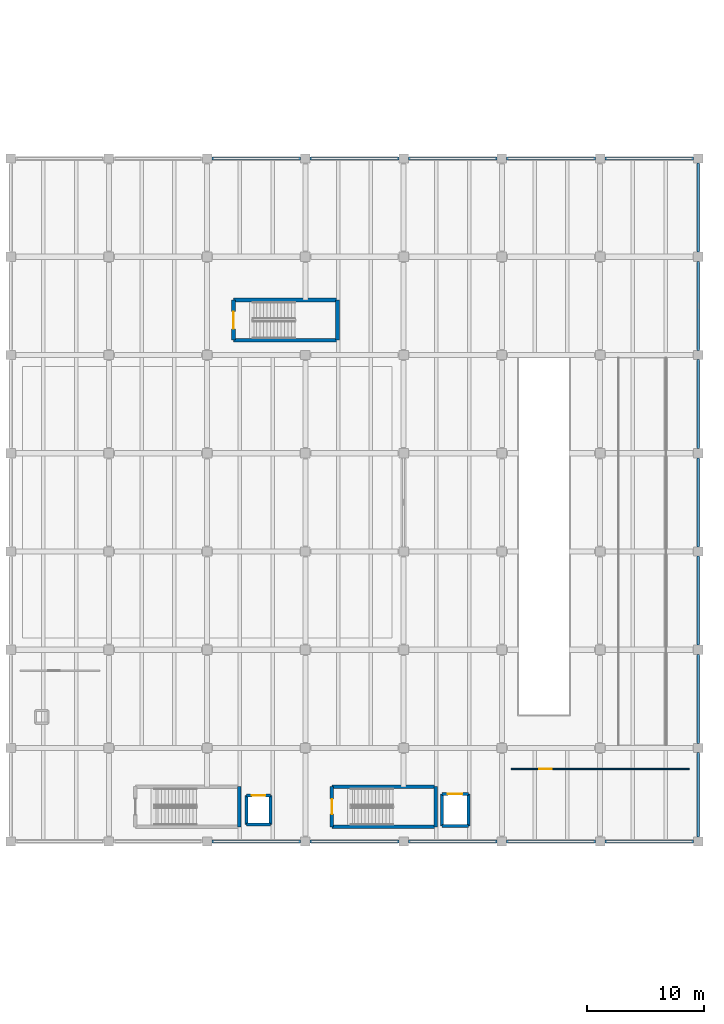
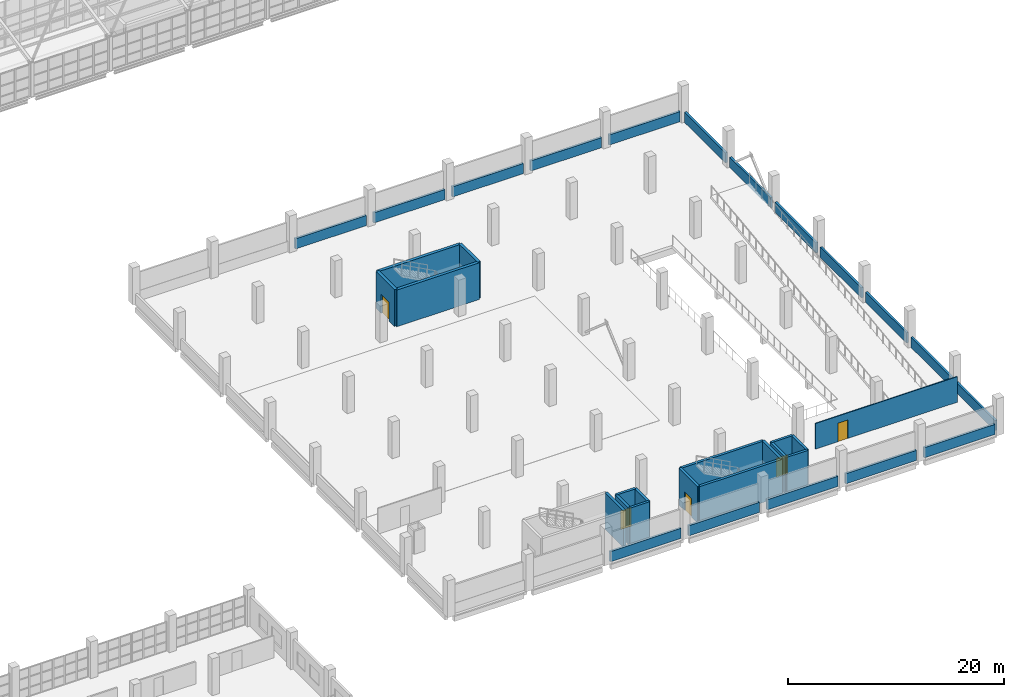
# One storey, part 154 of 177: 35 walls, 5 doors, 5 openings.
"""IFC4 building model written with IfcOpenShell, lengths in metres."""

from ifc_helpers import new_model, si_unit, direction, frame, frame_2d, origin, place, context, subcontext, project, spatial, rectangle, extrude, material, layer, layer_set, type_object, element, fill, save


model = new_model("IFC4")

# Units and contexts
model_context = context("Model", 3, precision=1e-05, world=origin(), true_north=direction((0.0, 1.0)))
body_context = subcontext(model_context, "Body", "Model", "MODEL_VIEW")
ifc_project = project(units=[si_unit("LENGTHUNIT", "METRE"), si_unit("AREAUNIT", "SQUARE_METRE"), si_unit("VOLUMEUNIT", "CUBIC_METRE"), si_unit("PLANEANGLEUNIT", "RADIAN"), si_unit("MASSUNIT", "GRAM", prefix="KILO"), si_unit("THERMODYNAMICTEMPERATUREUNIT", "KELVIN"), si_unit("POWERUNIT", "WATT")], contexts=[model_context])

# Site, building, storey
site_placement = place(None, origin())
site = spatial("IfcSite", under=ifc_project, at=site_placement, CompositionType="ELEMENT")
building_placement = place(site_placement, origin())
building = spatial("IfcBuilding", under=site, at=building_placement, Name="Mavoryth Pier Ferry Terminal", CompositionType="ELEMENT")
storey_placement = place(building_placement, frame((0.0, 0.0, 5.43994140625)))
storey = spatial("IfcBuildingStorey", under=building, at=storey_placement, Name="L01", CompositionType="ELEMENT", Elevation=5.43994140625)

# Walls
ifc_material_1 = material(Name="Concrete C35/45", Category="concrete")
ifc_layer_1 = layer(ifc_material_1, 0.260009765625, Name="Concrete C35/45", Category="concrete")
ifc_layer_set_1 = layer_set([ifc_layer_1], Name="Concrete C35/45 - CoreWall-LiftShaft-RC260")
wall_type_1 = type_object("IfcWallType", Name="CoreWall-LiftShaft-RC260", PredefinedType="SHEAR", material=ifc_layer_set_1)
wall_1_placement = place(storey_placement, frame((129.3701171875, 15.469970703125, 0.0), z_axis=(0.0, 0.0, 1.0), x_axis=(1.0, 0.0, 0.0)))
element("IfcWall", 1, at=wall_1_placement, inside=storey, type_object=wall_type_1, Name="Interior Wall IW-L01-0149", PredefinedType="SHEAR", context=body_context, shape_type="SweptSolid", body=[
    extrude(rectangle(XDim=2.059814453125, YDim=0.260009765625, at=frame_2d((1.02978515625, 0.0))), origin(), (0.0, 0.0, 1.0), 4.16015625),
])
for number, where, z_axis, x_axis, name in (
    (2, (131.429931640625, 15.469970703125, 0.0), (0.0, 0.0, 1.0), (0.0, 1.0, 0.0), "Interior Wall IW-L01-0150"),
    (3, (129.3701171875, 17.929931640625, 0.0), (0.0, 0.0, 1.0), (0.0, -1.0, 0.0), "Interior Wall IW-L01-0151"),
):
    element("IfcWall", number, at=place(storey_placement, frame(where, z_axis=z_axis, x_axis=x_axis)), inside=storey, type_object=wall_type_1, Name=name, PredefinedType="SHEAR", context=body_context, shape_type="SweptSolid", body=[
        extrude(rectangle(XDim=2.4599609375, YDim=0.260009765625, at=frame_2d((1.22998046875, 0.0))), origin(), (0.0, 0.0, 1.0), 4.16015625),
    ])

# Wall, opening, door
wall_2_placement = place(storey_placement, frame((129.3701171875, 17.929931640625, 0.0), z_axis=(0.0, 0.0, 1.0), x_axis=(1.0, 0.0, 0.0)))
wall_2 = element("IfcWall", 4, at=wall_2_placement, inside=storey, type_object=wall_type_1, Name="Interior Wall IW-L01-0152", PredefinedType="SHEAR", context=body_context, shape_type="SweptSolid", body=[
    extrude(rectangle(XDim=2.059814453125, YDim=0.260009765625, at=frame_2d((1.02978515625, 0.0))), origin(), (0.0, 0.0, 1.0), 4.16015625),
])
opening_1_placement = place(wall_2_placement, frame((0.4599609375, 0.0, 0.0)))
opening_1 = element("IfcOpeningElement", 5, at=opening_1_placement, cuts=wall_2, Name="Opening LD02", PredefinedType="OPENING", context=body_context, shape_type="SweptSolid", body=[
    extrude(rectangle(XDim=1.139892578125, YDim=2.139892578125, at=frame_2d((0.56982421875, 1.06982421875))), frame((0.0, 0.139892578125, 0.0), z_axis=(0.0, -1.0, 0.0), x_axis=(1.0, 0.0, 0.0)), (0.0, 0.0, 1.0), 0.280029296875),
])
ifc_material_2 = material(Name="Brushed Stainless Steel Lift Landing Door", Category="steel")
door_type_1 = type_object("IfcDoorType", Name="Door-LiftLanding-1140x2140", OperationType="NOTDEFINED", PredefinedType="DOOR", material=ifc_material_2)
door_1_placement = place(opening_1_placement, origin())
door_1 = element("IfcDoor", 6, at=door_1_placement, inside=storey, type_object=door_type_1, Name="Lift LF08 Landing Door L01", OperationType="DOUBLE_DOOR_SLIDING", OverallHeight=2.139892578125, OverallWidth=1.139892578125, PredefinedType="DOOR", context=body_context, shape_type="SweptSolid", body=[
    extrude(rectangle(XDim=1.139892578125, YDim=2.139892578125, at=frame_2d((0.56982421875, 1.06982421875))), frame((0.0, 0.02490234375, 0.0), z_axis=(0.0, -1.0, 0.0), x_axis=(1.0, 0.0, 0.0)), (0.0, 0.0, 1.0), 0.050048828125),
])
fill(opening_1, door_1)

# Walls
wall_3_placement = place(storey_placement, frame((146.070068359375, 15.320068359375, 0.0), z_axis=(0.0, 0.0, 1.0), x_axis=(1.0, 0.0, 0.0)))
element("IfcWall", 7, at=wall_3_placement, inside=storey, type_object=wall_type_1, Name="Interior Wall IW-L01-0177", PredefinedType="SHEAR", context=body_context, shape_type="SweptSolid", body=[
    extrude(rectangle(XDim=2.260009765625, YDim=0.260009765625, at=frame_2d((1.1298828125, 0.0))), origin(), (0.0, 0.0, 1.0), 4.16015625),
])
for number, where, z_axis, x_axis, name in (
    (8, (148.330078125, 15.320068359375, 0.0), (0.0, 0.0, 1.0), (0.0, 1.0, 0.0), "Interior Wall IW-L01-0178"),
    (9, (146.070068359375, 18.080078125, 0.0), (0.0, 0.0, 1.0), (0.0, -1.0, 0.0), "Interior Wall IW-L01-0179"),
):
    element("IfcWall", number, at=place(storey_placement, frame(where, z_axis=z_axis, x_axis=x_axis)), inside=storey, type_object=wall_type_1, Name=name, PredefinedType="SHEAR", context=body_context, shape_type="SweptSolid", body=[
        extrude(rectangle(XDim=2.760009765625, YDim=0.260009765625, at=frame_2d((1.3798828125, 0.0))), origin(), (0.0, 0.0, 1.0), 4.16015625),
    ])

# Wall, opening, door
wall_4_placement = place(storey_placement, frame((146.070068359375, 18.080078125, 0.0), z_axis=(0.0, 0.0, 1.0), x_axis=(1.0, 0.0, 0.0)))
wall_4 = element("IfcWall", 10, at=wall_4_placement, inside=storey, type_object=wall_type_1, Name="Interior Wall IW-L01-0180", PredefinedType="SHEAR", context=body_context, shape_type="SweptSolid", body=[
    extrude(rectangle(XDim=2.260009765625, YDim=0.260009765625, at=frame_2d((1.1298828125, 0.0))), origin(), (0.0, 0.0, 1.0), 4.16015625),
])
opening_2_placement = place(wall_4_placement, frame((0.510009765625, 0.0, 0.0)))
opening_2 = element("IfcOpeningElement", 11, at=opening_2_placement, cuts=wall_4, Name="Opening LD01", PredefinedType="OPENING", context=body_context, shape_type="SweptSolid", body=[
    extrude(rectangle(XDim=1.239990234375, YDim=2.139892578125, at=frame_2d((0.6201171875, 1.06982421875))), frame((0.0, 0.139892578125, 0.0), z_axis=(0.0, -1.0, 0.0), x_axis=(1.0, 0.0, 0.0)), (0.0, 0.0, 1.0), 0.280029296875),
])
door_type_2 = type_object("IfcDoorType", Name="Door-LiftLanding-1240x2140", OperationType="NOTDEFINED", PredefinedType="DOOR", material=ifc_material_2)
door_2_placement = place(opening_2_placement, origin())
door_2 = element("IfcDoor", 12, at=door_2_placement, inside=storey, type_object=door_type_2, Name="Lift LF09 Landing Door L01", OperationType="DOUBLE_DOOR_SLIDING", OverallHeight=2.139892578125, OverallWidth=1.239990234375, PredefinedType="DOOR", context=body_context, shape_type="SweptSolid", body=[
    extrude(rectangle(XDim=1.239990234375, YDim=2.139892578125, at=frame_2d((0.6201171875, 1.06982421875))), frame((0.0, 0.02490234375, 0.0), z_axis=(0.0, -1.0, 0.0), x_axis=(1.0, 0.0, 0.0)), (0.0, 0.0, 1.0), 0.050048828125),
])
fill(opening_2, door_2)

# Walls
ifc_material_3 = material(Name="Concrete C40/50", Category="concrete")
ifc_layer_2 = layer(ifc_material_3, 0.280029296875, Name="Concrete C40/50", Category="concrete")
ifc_layer_set_2 = layer_set([ifc_layer_2], Name="Concrete C40/50 - CoreWall-Shear-RC280")
wall_type_2 = type_object("IfcWallType", Name="CoreWall-Shear-RC280", PredefinedType="SHEAR", material=ifc_layer_set_2)
wall_5_placement = place(storey_placement, frame((128.739990234375, 15.260009765625, 0.0), z_axis=(0.0, 0.0, 1.0), x_axis=(0.0, 1.0, 0.0)))
element("IfcWall", 13, at=wall_5_placement, inside=storey, type_object=wall_type_2, Name="Interior Wall IW-L01-0140", PredefinedType="SHEAR", context=body_context, shape_type="SweptSolid", body=[
    extrude(rectangle(XDim=3.429931640625, YDim=0.280029296875, at=frame_2d((1.71484375, 0.0))), origin(), (0.0, 0.0, 1.0), 4.16015625),
])
for number, where, z_axis, x_axis, name in (
    (14, (136.659912109375, 15.260009765625, 0.0), (0.0, 0.0, 1.0), (1.0, 0.0, 0.0), "Interior Wall IW-L01-0161"),
    (15, (136.659912109375, 18.68994140625, 0.0), (0.0, 0.0, 1.0), (1.0, 0.0, 0.0), "Interior Wall IW-L01-0162"),
):
    element("IfcWall", number, at=place(storey_placement, frame(where, z_axis=z_axis, x_axis=x_axis)), inside=storey, type_object=wall_type_2, Name=name, PredefinedType="SHEAR", context=body_context, shape_type="SweptSolid", body=[
        extrude(rectangle(XDim=8.880126953125, YDim=0.280029296875, at=frame_2d((4.43994140625, 0.0))), origin(), (0.0, 0.0, 1.0), 4.16015625),
    ])

# Wall, opening, door
wall_6_placement = place(storey_placement, frame((136.659912109375, 18.68994140625, 0.0), z_axis=(0.0, 0.0, 1.0), x_axis=(0.0, -1.0, 0.0)))
wall_6 = element("IfcWall", 16, at=wall_6_placement, inside=storey, type_object=wall_type_2, Name="Interior Wall IW-L01-0163", PredefinedType="SHEAR", context=body_context, shape_type="SweptSolid", body=[
    extrude(rectangle(XDim=3.429931640625, YDim=0.280029296875, at=frame_2d((1.71484375, 0.0))), origin(), (0.0, 0.0, 1.0), 4.16015625),
])
opening_3_placement = place(wall_6_placement, frame((1.074951171875, 0.0, 0.0)))
opening_3 = element("IfcOpeningElement", 17, at=opening_3_placement, cuts=wall_6, Name="Opening ID03-041", PredefinedType="OPENING", context=body_context, shape_type="SweptSolid", body=[
    extrude(rectangle(XDim=1.280029296875, YDim=2.10009765625, at=frame_2d((0.64013671875, 1.050048828125))), frame((0.0, 0.14990234375, 0.0), z_axis=(0.0, -1.0, 0.0), x_axis=(1.0, 0.0, 0.0)), (0.0, 0.0, 1.0), 0.300048828125),
])
ifc_material_4 = material(Name="Painted Galvanised Steel Fire Door", Category="steel")
door_type_3 = type_object("IfcDoorType", Name="Door-StairFire-1280x2100", OperationType="NOTDEFINED", PredefinedType="DOOR", material=ifc_material_4)
door_3_placement = place(opening_3_placement, origin())
door_3 = element("IfcDoor", 18, at=door_3_placement, inside=storey, type_object=door_type_3, Name="Core C4B Stair Exit Door L01", OperationType="SINGLE_SWING_RIGHT", OverallHeight=2.10009765625, OverallWidth=1.280029296875, PredefinedType="DOOR", context=body_context, shape_type="SweptSolid", body=[
    extrude(rectangle(XDim=1.280029296875, YDim=2.10009765625, at=frame_2d((0.64013671875, 1.050048828125))), frame((0.0, 0.02490234375, 0.0), z_axis=(0.0, -1.0, 0.0), x_axis=(1.0, 0.0, 0.0)), (0.0, 0.0, 1.0), 0.050048828125),
])
fill(opening_3, door_3)

# Walls
wall_7_placement = place(storey_placement, frame((145.5400390625, 15.260009765625, 0.0), z_axis=(0.0, 0.0, 1.0), x_axis=(0.0, 1.0, 0.0)))
element("IfcWall", 19, at=wall_7_placement, inside=storey, type_object=wall_type_2, Name="Interior Wall IW-L01-0164", PredefinedType="SHEAR", context=body_context, shape_type="SweptSolid", body=[
    extrude(rectangle(XDim=3.429931640625, YDim=0.280029296875, at=frame_2d((1.71484375, 0.0))), origin(), (0.0, 0.0, 1.0), 4.16015625),
])
ifc_layer_3 = layer(ifc_material_3, 0.320068359375, Name="Concrete C40/50", Category="concrete")
ifc_layer_set_3 = layer_set([ifc_layer_3], Name="Concrete C40/50 - CoreWall-Shear-RC320")
wall_type_3 = type_object("IfcWallType", Name="CoreWall-Shear-RC320", PredefinedType="SHEAR", material=ifc_layer_set_3)
for number, where, z_axis, x_axis, name in (
    (20, (128.260009765625, 56.860107421875, 0.0), (0.0, 0.0, 1.0), (1.0, 0.0, 0.0), "Interior Wall IW-L01-0193"),
    (21, (128.260009765625, 60.2900390625, 0.0), (0.0, 0.0, 1.0), (1.0, 0.0, 0.0), "Interior Wall IW-L01-0194"),
):
    element("IfcWall", number, at=place(storey_placement, frame(where, z_axis=z_axis, x_axis=x_axis)), inside=storey, type_object=wall_type_3, Name=name, PredefinedType="SHEAR", context=body_context, shape_type="SweptSolid", body=[
        extrude(rectangle(XDim=8.8798828125, YDim=0.320068359375, at=frame_2d((4.43994140625, 0.0))), origin(), (0.0, 0.0, 1.0), 4.16015625),
    ])

# Wall, opening, door
wall_8_placement = place(storey_placement, frame((128.260009765625, 60.2900390625, 0.0), z_axis=(0.0, 0.0, 1.0), x_axis=(0.0, -1.0, 0.0)))
wall_8 = element("IfcWall", 22, at=wall_8_placement, inside=storey, type_object=wall_type_3, Name="Interior Wall IW-L01-0195", PredefinedType="SHEAR", context=body_context, shape_type="SweptSolid", body=[
    extrude(rectangle(XDim=3.429931640625, YDim=0.320068359375, at=frame_2d((1.71484375, 0.0))), origin(), (0.0, 0.0, 1.0), 4.16015625),
])
opening_4_placement = place(wall_8_placement, frame((0.97509765625, 0.0, 0.0)))
opening_4 = element("IfcOpeningElement", 23, at=opening_4_placement, cuts=wall_8, Name="Opening ID01-049", PredefinedType="OPENING", context=body_context, shape_type="SweptSolid", body=[
    extrude(rectangle(XDim=1.47998046875, YDim=2.14990234375, at=frame_2d((0.739990234375, 1.074951171875))), frame((0.0, 0.169921875, 0.0), z_axis=(0.0, -1.0, 0.0), x_axis=(1.0, 0.0, 0.0)), (0.0, 0.0, 1.0), 0.340087890625),
])
door_type_4 = type_object("IfcDoorType", Name="Door-StairFire-1480x2150", OperationType="NOTDEFINED", PredefinedType="DOOR", material=ifc_material_4)
door_4_placement = place(opening_4_placement, origin())
door_4 = element("IfcDoor", 24, at=door_4_placement, inside=storey, type_object=door_type_4, Name="Core C4C Stair Exit Door L01", OperationType="SINGLE_SWING_RIGHT", OverallHeight=2.14990234375, OverallWidth=1.47998046875, PredefinedType="DOOR", context=body_context, shape_type="SweptSolid", body=[
    extrude(rectangle(XDim=1.47998046875, YDim=2.14990234375, at=frame_2d((0.739990234375, 1.074951171875))), frame((0.0, 0.02490234375, 0.0), z_axis=(0.0, -1.0, 0.0), x_axis=(1.0, 0.0, 0.0)), (0.0, 0.0, 1.0), 0.050048828125),
])
fill(opening_4, door_4)

# Walls
wall_9_placement = place(storey_placement, frame((137.139892578125, 56.860107421875, 0.0), z_axis=(0.0, 0.0, 1.0), x_axis=(0.0, 1.0, 0.0)))
element("IfcWall", 25, at=wall_9_placement, inside=storey, type_object=wall_type_3, Name="Interior Wall IW-L01-0196", PredefinedType="SHEAR", context=body_context, shape_type="SweptSolid", body=[
    extrude(rectangle(XDim=3.429931640625, YDim=0.320068359375, at=frame_2d((1.71484375, 0.0))), origin(), (0.0, 0.0, 1.0), 4.16015625),
])
ifc_layer_4 = layer(ifc_material_3, 0.22998046875, Name="Concrete C40/50", Category="concrete")
ifc_layer_set_4 = layer_set([ifc_layer_4], Name="Concrete C40/50 - ExtWall-CrashUpstand-230")
wall_type_4 = type_object("IfcWallType", Name="ExtWall-CrashUpstand-230", PredefinedType="PARAPET", material=ifc_layer_set_4)
for number, where, z_axis, x_axis, name in (
    (26, (126.39990234375, 14.0, 0.0), (0.0, 0.0, 1.0), (1.0, 0.0, 0.0), "Exterior Wall EW-L01-069"),
    (27, (126.39990234375, 72.39990234375, 0.0), (0.0, 0.0, 1.0), (1.0, 0.0, 0.0), "Exterior Wall EW-L01-070"),
):
    element("IfcWall", number, at=place(storey_placement, frame(where, z_axis=z_axis, x_axis=x_axis)), inside=storey, type_object=wall_type_4, Name=name, PredefinedType="PARAPET", context=body_context, shape_type="SweptSolid", body=[
        extrude(rectangle(XDim=7.60009765625, YDim=0.22998046875, at=frame_2d((3.800048828125, 0.0))), origin(), (0.0, 0.0, 1.0), 1.150146484375),
    ])
for number, where, z_axis, x_axis, name in (
    (28, (134.800048828125, 14.0, 0.0), (0.0, 0.0, 1.0), (1.0, 0.0, 0.0), "Exterior Wall EW-L01-071"),
    (29, (134.800048828125, 72.39990234375, 0.0), (0.0, 0.0, 1.0), (1.0, 0.0, 0.0), "Exterior Wall EW-L01-072"),
):
    element("IfcWall", number, at=place(storey_placement, frame(where, z_axis=z_axis, x_axis=x_axis)), inside=storey, type_object=wall_type_4, Name=name, PredefinedType="PARAPET", context=body_context, shape_type="SweptSolid", body=[
        extrude(rectangle(XDim=7.599853515625, YDim=0.22998046875, at=frame_2d((3.7998046875, 0.0))), origin(), (0.0, 0.0, 1.0), 1.150146484375),
    ])
for number, where, z_axis, x_axis, name in (
    (30, (143.199951171875, 14.0, 0.0), (0.0, 0.0, 1.0), (1.0, 0.0, 0.0), "Exterior Wall EW-L01-073"),
    (31, (143.199951171875, 72.39990234375, 0.0), (0.0, 0.0, 1.0), (1.0, 0.0, 0.0), "Exterior Wall EW-L01-074"),
):
    element("IfcWall", number, at=place(storey_placement, frame(where, z_axis=z_axis, x_axis=x_axis)), inside=storey, type_object=wall_type_4, Name=name, PredefinedType="PARAPET", context=body_context, shape_type="SweptSolid", body=[
        extrude(rectangle(XDim=7.60009765625, YDim=0.22998046875, at=frame_2d((3.800048828125, 0.0))), origin(), (0.0, 0.0, 1.0), 1.150146484375),
    ])
for number, where, z_axis, x_axis, name in (
    (32, (151.60009765625, 14.0, 0.0), (0.0, 0.0, 1.0), (1.0, 0.0, 0.0), "Exterior Wall EW-L01-075"),
    (33, (151.60009765625, 72.39990234375, 0.0), (0.0, 0.0, 1.0), (1.0, 0.0, 0.0), "Exterior Wall EW-L01-076"),
):
    element("IfcWall", number, at=place(storey_placement, frame(where, z_axis=z_axis, x_axis=x_axis)), inside=storey, type_object=wall_type_4, Name=name, PredefinedType="PARAPET", context=body_context, shape_type="SweptSolid", body=[
        extrude(rectangle(XDim=7.599853515625, YDim=0.22998046875, at=frame_2d((3.7998046875, 0.0))), origin(), (0.0, 0.0, 1.0), 1.150146484375),
    ])
for number, where, z_axis, x_axis, name in (
    (34, (160.0, 14.0, 0.0), (0.0, 0.0, 1.0), (1.0, 0.0, 0.0), "Exterior Wall EW-L01-077"),
    (35, (160.0, 72.39990234375, 0.0), (0.0, 0.0, 1.0), (1.0, 0.0, 0.0), "Exterior Wall EW-L01-078"),
):
    element("IfcWall", number, at=place(storey_placement, frame(where, z_axis=z_axis, x_axis=x_axis)), inside=storey, type_object=wall_type_4, Name=name, PredefinedType="PARAPET", context=body_context, shape_type="SweptSolid", body=[
        extrude(rectangle(XDim=7.60009765625, YDim=0.22998046875, at=frame_2d((3.800048828125, 0.0))), origin(), (0.0, 0.0, 1.0), 1.150146484375),
    ])
wall_10_placement = place(storey_placement, frame((168.0, 14.39990234375, 0.0), z_axis=(0.0, 0.0, 1.0), x_axis=(0.0, 1.0, 0.0)))
element("IfcWall", 36, at=wall_10_placement, inside=storey, type_object=wall_type_4, Name="Exterior Wall EW-L01-080", PredefinedType="PARAPET", context=body_context, shape_type="SweptSolid", body=[
    extrude(rectangle(XDim=7.2001953125, YDim=0.22998046875, at=frame_2d((3.60009765625, 0.0))), origin(), (0.0, 0.0, 1.0), 1.150146484375),
])
wall_11_placement = place(storey_placement, frame((168.0, 22.39990234375, 0.0), z_axis=(0.0, 0.0, 1.0), x_axis=(0.0, 1.0, 0.0)))
element("IfcWall", 37, at=wall_11_placement, inside=storey, type_object=wall_type_4, Name="Exterior Wall EW-L01-082", PredefinedType="PARAPET", context=body_context, shape_type="SweptSolid", body=[
    extrude(rectangle(XDim=7.60009765625, YDim=0.22998046875, at=frame_2d((3.800048828125, 0.0))), origin(), (0.0, 0.0, 1.0), 1.150146484375),
])
wall_12_placement = place(storey_placement, frame((168.0, 30.800048828125, 0.0), z_axis=(0.0, 0.0, 1.0), x_axis=(0.0, 1.0, 0.0)))
element("IfcWall", 38, at=wall_12_placement, inside=storey, type_object=wall_type_4, Name="Exterior Wall EW-L01-084", PredefinedType="PARAPET", context=body_context, shape_type="SweptSolid", body=[
    extrude(rectangle(XDim=7.599853515625, YDim=0.22998046875, at=frame_2d((3.7998046875, 0.0))), origin(), (0.0, 0.0, 1.0), 1.150146484375),
])
wall_13_placement = place(storey_placement, frame((168.0, 39.199951171875, 0.0), z_axis=(0.0, 0.0, 1.0), x_axis=(0.0, 1.0, 0.0)))
element("IfcWall", 39, at=wall_13_placement, inside=storey, type_object=wall_type_4, Name="Exterior Wall EW-L01-086", PredefinedType="PARAPET", context=body_context, shape_type="SweptSolid", body=[
    extrude(rectangle(XDim=7.60009765625, YDim=0.22998046875, at=frame_2d((3.800048828125, 0.0))), origin(), (0.0, 0.0, 1.0), 1.150146484375),
])
wall_14_placement = place(storey_placement, frame((168.0, 47.60009765625, 0.0), z_axis=(0.0, 0.0, 1.0), x_axis=(0.0, 1.0, 0.0)))
element("IfcWall", 40, at=wall_14_placement, inside=storey, type_object=wall_type_4, Name="Exterior Wall EW-L01-088", PredefinedType="PARAPET", context=body_context, shape_type="SweptSolid", body=[
    extrude(rectangle(XDim=7.599853515625, YDim=0.22998046875, at=frame_2d((3.7998046875, 0.0))), origin(), (0.0, 0.0, 1.0), 1.150146484375),
])
for number, where, z_axis, x_axis, name in (
    (41, (168.0, 56.0, 0.0), (0.0, 0.0, 1.0), (0.0, 1.0, 0.0), "Exterior Wall EW-L01-090"),
    (42, (168.0, 64.39990234375, 0.0), (0.0, 0.0, 1.0), (0.0, 1.0, 0.0), "Exterior Wall EW-L01-092"),
):
    element("IfcWall", number, at=place(storey_placement, frame(where, z_axis=z_axis, x_axis=x_axis)), inside=storey, type_object=wall_type_4, Name=name, PredefinedType="PARAPET", context=body_context, shape_type="SweptSolid", body=[
        extrude(rectangle(XDim=7.60009765625, YDim=0.22998046875, at=frame_2d((3.800048828125, 0.0))), origin(), (0.0, 0.0, 1.0), 1.150146484375),
    ])

# Wall, opening, door
ifc_material_5 = material(Name="Moisture-Resistant Cement-Board Partition")
ifc_layer_5 = layer(ifc_material_5, 0.10009765625, Name="Moisture-Resistant Cement-Board Partition")
ifc_layer_set_5 = layer_set([ifc_layer_5], Name="Moisture-Resistant Cement-Board Partition - Part-WetArea-100")
wall_type_5 = type_object("IfcWallType", Name="Part-WetArea-100", PredefinedType="PARTITIONING", material=ifc_layer_set_5)
wall_15_placement = place(storey_placement, frame((152.0, 20.199951171875, 0.0), z_axis=(0.0, 0.0, 1.0), x_axis=(1.0, 0.0, 0.0)))
wall_15 = element("IfcWall", 43, at=wall_15_placement, inside=storey, type_object=wall_type_5, Name="Interior Wall IW-L01-0434", PredefinedType="PARTITIONING", context=body_context, shape_type="SweptSolid", body=[
    extrude(rectangle(XDim=15.199951171875, YDim=0.10009765625, at=frame_2d((7.60009765625, 0.0))), origin(), (0.0, 0.0, 1.0), 2.900146484375),
])
opening_5_placement = place(wall_15_placement, frame((2.39990234375, 0.0, 0.0)))
opening_5 = element("IfcOpeningElement", 44, at=opening_5_placement, cuts=wall_15, Name="Opening ID11-103", PredefinedType="OPENING", context=body_context, shape_type="SweptSolid", body=[
    extrude(rectangle(XDim=1.06005859375, YDim=2.10009765625, at=frame_2d((0.530029296875, 1.050048828125))), frame((0.0, 0.06005859375, 0.0), z_axis=(0.0, -1.0, 0.0), x_axis=(1.0, 0.0, 0.0)), (0.0, 0.0, 1.0), 0.1201171875),
])
ifc_material_6 = material(Name="High-Pressure Laminate Accessible Door")
door_type_5 = type_object("IfcDoorType", Name="Door-AccessibleWC-1060x2100", OperationType="NOTDEFINED", PredefinedType="DOOR", material=ifc_material_6)
door_5_placement = place(opening_5_placement, origin())
door_5 = element("IfcDoor", 45, at=door_5_placement, inside=storey, type_object=door_type_5, Name="L01 Deck Accessible WC Door", OperationType="SINGLE_SWING_LEFT", OverallHeight=2.10009765625, OverallWidth=1.06005859375, PredefinedType="DOOR", context=body_context, shape_type="SweptSolid", body=[
    extrude(rectangle(XDim=1.06005859375, YDim=2.10009765625, at=frame_2d((0.530029296875, 1.050048828125))), frame((0.0, 0.02490234375, 0.0), z_axis=(0.0, -1.0, 0.0), x_axis=(1.0, 0.0, 0.0)), (0.0, 0.0, 1.0), 0.050048828125),
])
fill(opening_5, door_5)

save(model, "model.ifc")
